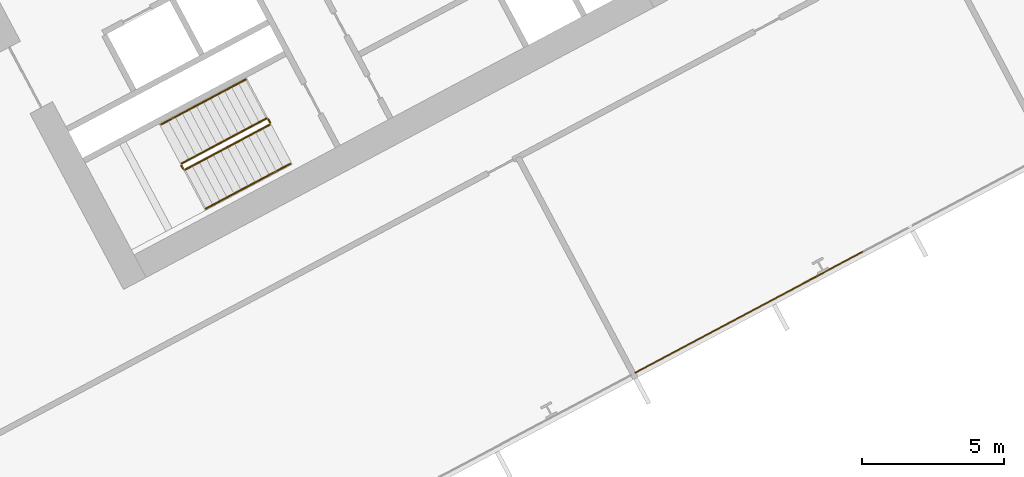
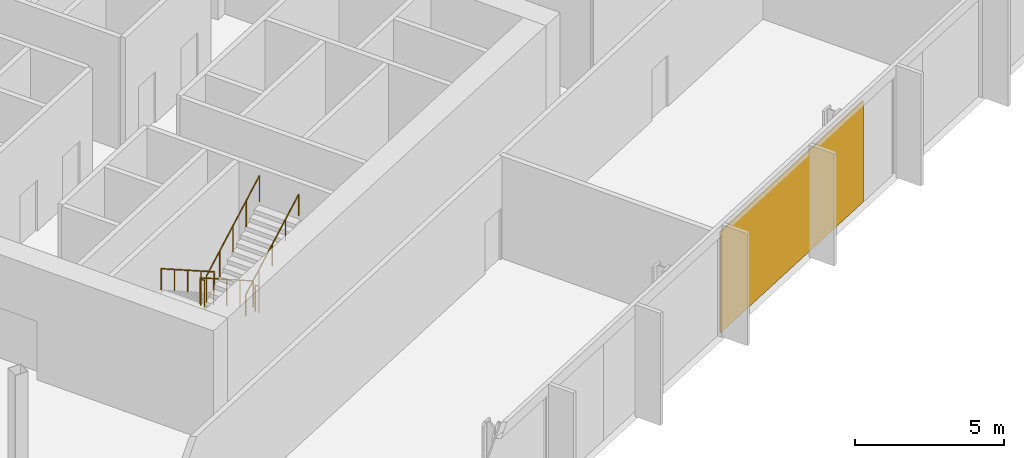
# One storey, part 28 of 32: 6 railings, 1 covering, 1 element without a shape of its own.
"""IFC4 building model written with IfcOpenShell, lengths in metres."""

from ifc_helpers import new_model, si_unit, direction, frame, origin, origin_2d, place, context, subcontext, project, spatial, polyline, rectangle, outline, extrude, material, layer, layer_set, type_object, element, aggregate, save


model = new_model("IFC4")

# Units and contexts
model_context = context("Model", 3, precision=1e-05, world=origin(), true_north=direction((0.0, 1.0)))
body_context = subcontext(model_context, "Body", "Model", "MODEL_VIEW")
ifc_project = project(units=[si_unit("LENGTHUNIT", "METRE"), si_unit("AREAUNIT", "SQUARE_METRE"), si_unit("VOLUMEUNIT", "CUBIC_METRE"), si_unit("PLANEANGLEUNIT", "RADIAN"), si_unit("MASSUNIT", "GRAM", prefix="KILO")], contexts=[model_context])

# Site, building, storey
site_placement = place(None, origin())
site = spatial("IfcSite", under=ifc_project, at=site_placement, CompositionType="ELEMENT")
building_placement = place(site_placement, origin())
building = spatial("IfcBuilding", under=site, at=building_placement, Name="Cormorant Relay Tower", CompositionType="ELEMENT")
storey_placement = place(building_placement, frame((0.0, 0.0, 66.199951171875)))
storey = spatial("IfcBuildingStorey", under=building, at=storey_placement, Name="L12", CompositionType="ELEMENT", Elevation=66.199951171875)

# Curtain wall, covering
ifc_material_1 = material(Name="Aluminium 6063-T6 anodised bronze", Category="aluminium")
ifc_layer_1 = layer(ifc_material_1, 0.199951171875)
ifc_layer_set_1 = layer_set([ifc_layer_1], Name="CW1 unitised bronze curtain wall with vertical fins")
curtain_wall_type = type_object("IfcCurtainWallType", Name="CW1 unitised bronze curtain wall with vertical fins", PredefinedType="NOTDEFINED", material=ifc_layer_set_1)
curtain_wall_placement = place(storey_placement, origin())
curtain_wall = element("IfcCurtainWall", 1, at=curtain_wall_placement, inside=storey, type_object=curtain_wall_type, Name="CW1 curtain wall 2", PredefinedType="NOTDEFINED")
ifc_material_2 = material(Name="Pale bronze anodised aluminium insulated panel", Category="aluminium")
ifc_layer_2 = layer(ifc_material_2, 0.0400390625)
ifc_layer_set_2 = layer_set([ifc_layer_2], Name="CW1 pale bronze insulated panel 40")
covering_type = type_object("IfcCoveringType", Name="CW1 pale bronze insulated panel 40", PredefinedType="CLADDING", material=ifc_layer_set_2)
covering_placement = place(storey_placement, frame((40.797119140625, -2.114501953125, 0.0), z_axis=(0.0, 0.0, 1.0), x_axis=(0.882947592859, 0.469471562786, 0.0)))
covering = element("IfcCovering", 2, at=covering_placement, type_object=covering_type, Name="CW1 panel S07", PredefinedType="CLADDING", context=body_context, shape_type="SweptSolid", body=[
    extrude(rectangle(XDim=9.07373046875, YDim=0.0400390625, at=origin_2d()), origin(), (0.0, 0.0, 1.0), 4.14990234375),
])
aggregate(curtain_wall, [covering])

# Railings
ifc_material_3 = material(Name="Steel ASTM A572 Grade 50 (Fy 345 MPa)", Category="steel")
railing_type_1 = type_object("IfcRailingType", Name="Stair guard 1100", PredefinedType="GUARDRAIL", material=ifc_material_3)
railing_1_placement = place(storey_placement, frame((23.83837890625, 4.6904296875, 0.177001953125)))
element("IfcRailing", 3, at=railing_1_placement, inside=storey, type_object=railing_type_1, Name="L12 B1 stair guard 1", PredefinedType="GUARDRAIL", context=body_context, shape_type="SweptSolid", body=[
    extrude(outline(polyline([(0.022216796875, 0.00927734375), (0.00927734375, 0.022216796875), (-0.00927734375, 0.022216796875), (-0.022216796875, 0.00927734375), (-0.022216796875, -0.00927734375), (-0.00927734375, -0.022216796875), (0.00927734375, -0.022216796875), (0.022216796875, -0.00927734375), (0.022216796875, 0.00927734375)])), frame((0.0, 0.0, 1.076171875), z_axis=(-0.746440668329, -0.396869088057, 0.534154711306), x_axis=(0.46945269911, -0.882957622595, 0.0)), (0.0, 0.0, 1.0), 3.974609375),
    extrude(outline(polyline([(0.019287109375, 0.008056640625), (0.008056640625, 0.019287109375), (-0.008056640625, 0.019287109375), (-0.019287109375, 0.008056640625), (-0.019287109375, -0.008056640625), (-0.008056640625, -0.019287109375), (0.008056640625, -0.019287109375), (0.019287109375, -0.008056640625), (0.019287109375, 0.008056640625)])), origin(), (0.0, 0.0, 1.0), 1.052001953125),
    extrude(outline(polyline([(0.019287109375, 0.008056640625), (0.008056640625, 0.019287109375), (-0.008056640625, 0.019287109375), (-0.019287109375, 0.008056640625), (-0.019287109375, -0.008056640625), (-0.008056640625, -0.019287109375), (0.008056640625, -0.019287109375), (0.019287109375, -0.008056640625), (0.019287109375, 0.008056640625)])), frame((-0.74169921875, -0.394287109375, 0.53076171875)), (0.0, 0.0, 1.0), 1.052001953125),
    extrude(outline(polyline([(0.019287109375, 0.008056640625), (0.008056640625, 0.019287109375), (-0.008056640625, 0.019287109375), (-0.019287109375, 0.008056640625), (-0.019287109375, -0.008056640625), (-0.008056640625, -0.019287109375), (0.008056640625, -0.019287109375), (0.019287109375, -0.008056640625), (0.019287109375, 0.008056640625)])), frame((-1.4833984375, -0.78857421875, 1.0615234375)), (0.0, 0.0, 1.0), 1.052001953125),
    extrude(outline(polyline([(0.019287109375, 0.008056640625), (0.008056640625, 0.019287109375), (-0.008056640625, 0.019287109375), (-0.019287109375, 0.008056640625), (-0.019287109375, -0.008056640625), (-0.008056640625, -0.019287109375), (0.008056640625, -0.019287109375), (0.019287109375, -0.008056640625), (0.019287109375, 0.008056640625)])), frame((-2.22509765625, -1.18310546875, 1.59228515625)), (0.0, 0.0, 1.0), 1.052001953125),
    extrude(outline(polyline([(0.019287109375, 0.008056640625), (0.008056640625, 0.019287109375), (-0.008056640625, 0.019287109375), (-0.019287109375, 0.008056640625), (-0.019287109375, -0.008056640625), (-0.008056640625, -0.019287109375), (0.008056640625, -0.019287109375), (0.019287109375, -0.008056640625), (0.019287109375, 0.008056640625)])), frame((-2.966796875, -1.577392578125, 2.123046875)), (0.0, 0.0, 1.0), 1.052001953125),
])
railing_2_placement = place(storey_placement, frame((20.850830078125, 3.04541015625, 2.300048828125)))
element("IfcRailing", 4, at=railing_2_placement, inside=storey, type_object=railing_type_1, Name="L12 B1 stair guard 2", PredefinedType="GUARDRAIL", context=body_context, shape_type="SweptSolid", body=[
    extrude(outline(polyline([(0.022216796875, 0.00927734375), (0.00927734375, 0.022216796875), (-0.00927734375, 0.022216796875), (-0.022216796875, 0.00927734375), (-0.022216796875, -0.00927734375), (-0.00927734375, -0.022216796875), (0.00927734375, -0.022216796875), (0.022216796875, -0.00927734375), (0.022216796875, 0.00927734375)])), frame((0.0, 0.0, 1.076171875), z_axis=(0.469828648786, -0.882757634224, 0.0), x_axis=(0.882757634224, 0.469828648786, 0.0)), (0.0, 0.0, 1.0), 0.150146484375),
    extrude(outline(polyline([(0.019287109375, 0.008056640625), (0.008056640625, 0.019287109375), (-0.008056640625, 0.019287109375), (-0.019287109375, 0.008056640625), (-0.019287109375, -0.008056640625), (-0.008056640625, -0.019287109375), (0.008056640625, -0.019287109375), (0.019287109375, -0.008056640625), (0.019287109375, 0.008056640625)])), origin(), (0.0, 0.0, 1.0), 1.052001953125),
    extrude(outline(polyline([(0.019287109375, 0.008056640625), (0.008056640625, 0.019287109375), (-0.008056640625, 0.019287109375), (-0.019287109375, 0.008056640625), (-0.019287109375, -0.008056640625), (-0.008056640625, -0.019287109375), (0.008056640625, -0.019287109375), (0.019287109375, -0.008056640625), (0.019287109375, 0.008056640625)])), frame((0.070556640625, -0.132568359375, 0.0)), (0.0, 0.0, 1.0), 1.052001953125),
])
railing_3_placement = place(storey_placement, frame((20.989013671875, 2.892333984375, 2.47705078125)))
element("IfcRailing", 5, at=railing_3_placement, inside=storey, type_object=railing_type_1, Name="L12 B1 stair guard 3", PredefinedType="GUARDRAIL", context=body_context, shape_type="SweptSolid", body=[
    extrude(outline(polyline([(0.022216796875, 0.00927734375), (0.00927734375, 0.022216796875), (-0.00927734375, 0.022216796875), (-0.022216796875, 0.00927734375), (-0.022216796875, -0.00927734375), (-0.00927734375, -0.022216796875), (0.00927734375, -0.022216796875), (0.022216796875, -0.00927734375), (0.022216796875, 0.00927734375)])), frame((0.0, 0.0, 1.076171875), z_axis=(0.746413465702, 0.396887285154, 0.534179203172), x_axis=(-0.469482818608, 0.88294160794, 0.0)), (0.0, 0.0, 1.0), 3.974365234375),
    extrude(outline(polyline([(0.019287109375, 0.008056640625), (0.008056640625, 0.019287109375), (-0.008056640625, 0.019287109375), (-0.019287109375, 0.008056640625), (-0.019287109375, -0.008056640625), (-0.008056640625, -0.019287109375), (0.008056640625, -0.019287109375), (0.019287109375, -0.008056640625), (0.019287109375, 0.008056640625)])), origin(), (0.0, 0.0, 1.0), 1.052001953125),
    extrude(outline(polyline([(0.019287109375, 0.008056640625), (0.008056640625, 0.019287109375), (-0.008056640625, 0.019287109375), (-0.019287109375, 0.008056640625), (-0.019287109375, -0.008056640625), (-0.008056640625, -0.019287109375), (0.008056640625, -0.019287109375), (0.019287109375, -0.008056640625), (0.019287109375, 0.008056640625)])), frame((0.74169921875, 0.394287109375, 0.53076171875)), (0.0, 0.0, 1.0), 1.052001953125),
    extrude(outline(polyline([(0.019287109375, 0.008056640625), (0.008056640625, 0.019287109375), (-0.008056640625, 0.019287109375), (-0.019287109375, 0.008056640625), (-0.019287109375, -0.008056640625), (-0.008056640625, -0.019287109375), (0.008056640625, -0.019287109375), (0.019287109375, -0.008056640625), (0.019287109375, 0.008056640625)])), frame((1.4833984375, 0.78857421875, 1.0615234375)), (0.0, 0.0, 1.0), 1.052001953125),
    extrude(outline(polyline([(0.019287109375, 0.008056640625), (0.008056640625, 0.019287109375), (-0.008056640625, 0.019287109375), (-0.019287109375, 0.008056640625), (-0.019287109375, -0.008056640625), (-0.008056640625, -0.019287109375), (0.008056640625, -0.019287109375), (0.019287109375, -0.008056640625), (0.019287109375, 0.008056640625)])), frame((2.224853515625, 1.18310546875, 1.59228515625)), (0.0, 0.0, 1.0), 1.052001953125),
    extrude(outline(polyline([(0.019287109375, 0.008056640625), (0.008056640625, 0.019287109375), (-0.008056640625, 0.019287109375), (-0.019287109375, 0.008056640625), (-0.019287109375, -0.008056640625), (-0.008056640625, -0.019287109375), (0.008056640625, -0.019287109375), (0.019287109375, -0.008056640625), (0.019287109375, 0.008056640625)])), frame((2.966552734375, 1.577392578125, 2.123046875)), (0.0, 0.0, 1.0), 1.052001953125),
])
railing_4_placement = place(storey_placement, frame((23.906005859375, 4.669677734375, 0.0)))
element("IfcRailing", 6, at=railing_4_placement, inside=storey, type_object=railing_type_1, Name="L12 B1 stair guard 4", PredefinedType="GUARDRAIL", context=body_context, shape_type="SweptSolid", body=[
    extrude(outline(polyline([(0.022216796875, 0.00927734375), (0.00927734375, 0.022216796875), (-0.00927734375, 0.022216796875), (-0.022216796875, 0.00927734375), (-0.022216796875, -0.00927734375), (-0.00927734375, -0.022216796875), (0.00927734375, -0.022216796875), (0.022216796875, -0.00927734375), (0.022216796875, 0.00927734375)])), frame((0.0, 0.0, 1.076171875), z_axis=(0.469234640946, -0.883073525669, 0.0), x_axis=(0.883073525669, 0.469234640946, 0.0)), (0.0, 0.0, 1.0), 0.14990234375),
    extrude(outline(polyline([(0.019287109375, 0.008056640625), (0.008056640625, 0.019287109375), (-0.008056640625, 0.019287109375), (-0.019287109375, 0.008056640625), (-0.019287109375, -0.008056640625), (-0.008056640625, -0.019287109375), (0.008056640625, -0.019287109375), (0.019287109375, -0.008056640625), (0.019287109375, 0.008056640625)])), origin(), (0.0, 0.0, 1.0), 1.052001953125),
    extrude(outline(polyline([(0.019287109375, 0.008056640625), (0.008056640625, 0.019287109375), (-0.008056640625, 0.019287109375), (-0.019287109375, 0.008056640625), (-0.019287109375, -0.008056640625), (-0.008056640625, -0.019287109375), (0.008056640625, -0.019287109375), (0.019287109375, -0.008056640625), (0.019287109375, 0.008056640625)])), frame((0.0703125, -0.13232421875, 0.0)), (0.0, 0.0, 1.0), 1.052001953125),
])
ifc_material_4 = material(Name="Steel ASTM A572 Grade 50 (Fy 345 MPa)", Category="steel")
railing_type_2 = type_object("IfcRailingType", Name="Stair handrail 900", PredefinedType="HANDRAIL", material=ifc_material_4)
railing_5_placement = place(storey_placement, frame((23.110595703125, 6.05908203125, 0.177001953125)))
element("IfcRailing", 7, at=railing_5_placement, inside=storey, type_object=railing_type_2, Name="L12 B1 stair handrail 1", PredefinedType="HANDRAIL", context=body_context, shape_type="SweptSolid", body=[
    extrude(outline(polyline([(0.022216796875, 0.00927734375), (0.00927734375, 0.022216796875), (-0.00927734375, 0.022216796875), (-0.022216796875, 0.00927734375), (-0.022216796875, -0.00927734375), (-0.00927734375, -0.022216796875), (0.00927734375, -0.022216796875), (0.022216796875, -0.00927734375), (0.022216796875, 0.00927734375)])), frame((0.0, 0.0, 0.8759765625), z_axis=(-0.746413465702, -0.396887285154, 0.534179203172), x_axis=(0.469482818608, -0.88294160794, 0.0)), (0.0, 0.0, 1.0), 3.974365234375),
    extrude(outline(polyline([(0.019287109375, 0.008056640625), (0.008056640625, 0.019287109375), (-0.008056640625, 0.019287109375), (-0.019287109375, 0.008056640625), (-0.019287109375, -0.008056640625), (-0.008056640625, -0.019287109375), (0.008056640625, -0.019287109375), (0.019287109375, -0.008056640625), (0.019287109375, 0.008056640625)])), origin(), (0.0, 0.0, 1.0), 0.851806640625),
    extrude(outline(polyline([(0.019287109375, 0.008056640625), (0.008056640625, 0.019287109375), (-0.008056640625, 0.019287109375), (-0.019287109375, 0.008056640625), (-0.019287109375, -0.008056640625), (-0.008056640625, -0.019287109375), (0.008056640625, -0.019287109375), (0.019287109375, -0.008056640625), (0.019287109375, 0.008056640625)])), frame((-0.74169921875, -0.394287109375, 0.53076171875)), (0.0, 0.0, 1.0), 0.851806640625),
    extrude(outline(polyline([(0.019287109375, 0.008056640625), (0.008056640625, 0.019287109375), (-0.008056640625, 0.019287109375), (-0.019287109375, 0.008056640625), (-0.019287109375, -0.008056640625), (-0.008056640625, -0.019287109375), (0.008056640625, -0.019287109375), (0.019287109375, -0.008056640625), (0.019287109375, 0.008056640625)])), frame((-1.4833984375, -0.78857421875, 1.0615234375)), (0.0, 0.0, 1.0), 0.851806640625),
    extrude(outline(polyline([(0.019287109375, 0.008056640625), (0.008056640625, 0.019287109375), (-0.008056640625, 0.019287109375), (-0.019287109375, 0.008056640625), (-0.019287109375, -0.008056640625), (-0.008056640625, -0.019287109375), (0.008056640625, -0.019287109375), (0.019287109375, -0.008056640625), (0.019287109375, 0.008056640625)])), frame((-2.224853515625, -1.18310546875, 1.59228515625)), (0.0, 0.0, 1.0), 0.851806640625),
    extrude(outline(polyline([(0.019287109375, 0.008056640625), (0.008056640625, 0.019287109375), (-0.008056640625, 0.019287109375), (-0.019287109375, 0.008056640625), (-0.019287109375, -0.008056640625), (-0.008056640625, -0.019287109375), (0.008056640625, -0.019287109375), (0.019287109375, -0.008056640625), (0.019287109375, 0.008056640625)])), frame((-2.966552734375, -1.577392578125, 2.123046875)), (0.0, 0.0, 1.0), 0.851806640625),
])
railing_6_placement = place(storey_placement, frame((21.716552734375, 1.523681640625, 2.47705078125)))
element("IfcRailing", 8, at=railing_6_placement, inside=storey, type_object=railing_type_2, Name="L12 B1 stair handrail 2", PredefinedType="HANDRAIL", context=body_context, shape_type="SweptSolid", body=[
    extrude(outline(polyline([(0.022216796875, 0.00927734375), (0.00927734375, 0.022216796875), (-0.00927734375, 0.022216796875), (-0.022216796875, 0.00927734375), (-0.022216796875, -0.00927734375), (-0.00927734375, -0.022216796875), (0.00927734375, -0.022216796875), (0.022216796875, -0.00927734375), (0.022216796875, 0.00927734375)])), frame((0.0, 0.0, 0.8759765625), z_axis=(0.746440668329, 0.396869088057, 0.534154711306), x_axis=(-0.46945269911, 0.882957622595, 0.0)), (0.0, 0.0, 1.0), 3.974609375),
    extrude(outline(polyline([(0.019287109375, 0.008056640625), (0.008056640625, 0.019287109375), (-0.008056640625, 0.019287109375), (-0.019287109375, 0.008056640625), (-0.019287109375, -0.008056640625), (-0.008056640625, -0.019287109375), (0.008056640625, -0.019287109375), (0.019287109375, -0.008056640625), (0.019287109375, 0.008056640625)])), origin(), (0.0, 0.0, 1.0), 0.851806640625),
    extrude(outline(polyline([(0.019287109375, 0.008056640625), (0.008056640625, 0.019287109375), (-0.008056640625, 0.019287109375), (-0.019287109375, 0.008056640625), (-0.019287109375, -0.008056640625), (-0.008056640625, -0.019287109375), (0.008056640625, -0.019287109375), (0.019287109375, -0.008056640625), (0.019287109375, 0.008056640625)])), frame((0.74169921875, 0.394287109375, 0.53076171875)), (0.0, 0.0, 1.0), 0.851806640625),
    extrude(outline(polyline([(0.019287109375, 0.008056640625), (0.008056640625, 0.019287109375), (-0.008056640625, 0.019287109375), (-0.019287109375, 0.008056640625), (-0.019287109375, -0.008056640625), (-0.008056640625, -0.019287109375), (0.008056640625, -0.019287109375), (0.019287109375, -0.008056640625), (0.019287109375, 0.008056640625)])), frame((1.4833984375, 0.78857421875, 1.0615234375)), (0.0, 0.0, 1.0), 0.851806640625),
    extrude(outline(polyline([(0.019287109375, 0.008056640625), (0.008056640625, 0.019287109375), (-0.008056640625, 0.019287109375), (-0.019287109375, 0.008056640625), (-0.019287109375, -0.008056640625), (-0.008056640625, -0.019287109375), (0.008056640625, -0.019287109375), (0.019287109375, -0.008056640625), (0.019287109375, 0.008056640625)])), frame((2.22509765625, 1.18310546875, 1.59228515625)), (0.0, 0.0, 1.0), 0.851806640625),
    extrude(outline(polyline([(0.019287109375, 0.008056640625), (0.008056640625, 0.019287109375), (-0.008056640625, 0.019287109375), (-0.019287109375, 0.008056640625), (-0.019287109375, -0.008056640625), (-0.008056640625, -0.019287109375), (0.008056640625, -0.019287109375), (0.019287109375, -0.008056640625), (0.019287109375, 0.008056640625)])), frame((2.966796875, 1.577392578125, 2.123046875)), (0.0, 0.0, 1.0), 0.851806640625),
])

save(model, "model.ifc")
